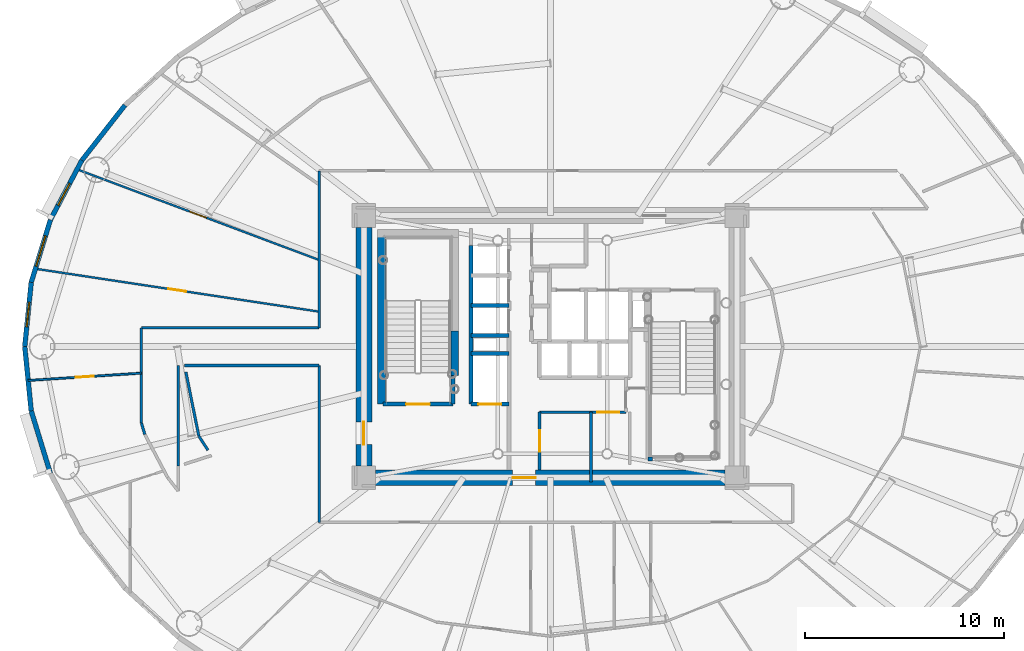
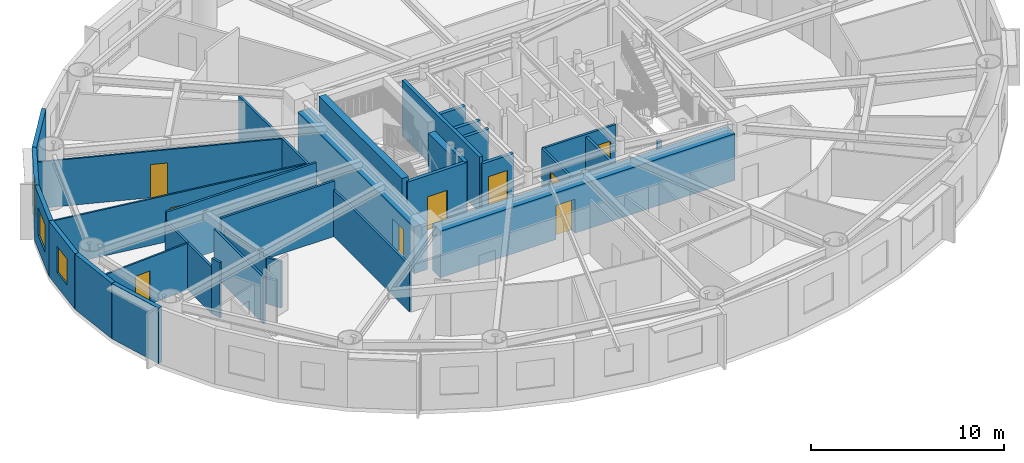
# One storey, part 11 of 21: 33 walls, 9 doors, 3 windows, 12 openings.
"""IFC4 building model written with IfcOpenShell, lengths in metres."""

import ifcopenshell
import ifcopenshell.guid

model = None  # the IFC model being written
_history = None  # IfcOwnerHistory: only IFC2X3 demands one
_inside = {}  # id of a spatial element -> (the spatial element, [elements in it])
_under = {}  # id of a project, library or spatial element -> (it, [spatial elements below it])
_declared = {}  # id of a project -> (the project, [libraries it declares])
_typed = {}  # id of a type object -> (the type object, [elements of that type])
_made_of = {}  # id of a material, layer set ... -> (it, [elements and type objects made of it])


def new_model(schema):
    """Start an empty IFC model of exactly this schema.

    Asked for "IFC4X3", IfcOpenShell would pick the latest addendum, in which some entities
    have other attributes; the version numbers below select the first issue.
    IFC2X3 requires an IfcOwnerHistory on every rooted entity: one is made here for all.
    """
    global model, _history
    if schema == "IFC4X3":
        model = ifcopenshell.file(schema_version=(4, 3, 0, 0))
    else:
        model = ifcopenshell.file(schema=schema)
    _inside.clear()
    _under.clear()
    _declared.clear()
    _typed.clear()
    _made_of.clear()
    _history = None
    if model.schema == "IFC2X3":
        org = make("IfcOrganization", Name="unknown")
        user = make(
            "IfcPersonAndOrganization",
            ThePerson=make("IfcPerson", FamilyName="unknown"),
            TheOrganization=org,
        )
        app = make(
            "IfcApplication",
            ApplicationDeveloper=org,
            Version="unknown",
            ApplicationFullName="unknown",
            ApplicationIdentifier="unknown",
        )
        _history = make(
            "IfcOwnerHistory",
            OwningUser=user,
            OwningApplication=app,
            ChangeAction="ADDED",
            CreationDate=0,
        )
    return model


def make(cls, **values):
    """One entity of the class cls with the attributes given. An attribute that is None is left unset."""
    return model.create_entity(
        cls, **{name: value for name, value in values.items() if value is not None}
    )


def rooted(cls, **values):
    """An entity with a GlobalId (a new one), such as an element, a storey or a relation."""
    return make(cls, GlobalId=ifcopenshell.guid.new(), OwnerHistory=_history, **values)


def si_unit(unit_type, name, prefix=None):
    """IfcSIUnit, for example si_unit("LENGTHUNIT", "METRE", prefix="MILLI")."""
    return make("IfcSIUnit", UnitType=unit_type, Prefix=prefix, Name=name)


def assignment(units):
    """IfcUnitAssignment: the units of a project."""
    return None if units is None else make("IfcUnitAssignment", Units=units)


def point(xyz):
    """IfcCartesianPoint."""
    return None if xyz is None else make("IfcCartesianPoint", Coordinates=xyz)


def direction(xyz):
    """IfcDirection."""
    return None if xyz is None else make("IfcDirection", DirectionRatios=xyz)


def frame(location, z_axis=None, x_axis=None):
    """IfcAxis2Placement3D, a coordinate frame: its origin and axes. An axis left out is left unset."""
    return make(
        "IfcAxis2Placement3D",
        Location=point(location),
        Axis=direction(z_axis),
        RefDirection=direction(x_axis),
    )


def frame_2d(location, x_axis=None):
    """IfcAxis2Placement2D, a coordinate frame in the plane: its origin and x axis."""
    return make(
        "IfcAxis2Placement2D", Location=point(location), RefDirection=direction(x_axis)
    )


def origin():
    """The frame at (0, 0, 0) with its axes left unset."""
    return frame((0.0, 0.0, 0.0))


def origin_2d():
    """The frame at (0, 0) in the plane with its x axis left unset."""
    return frame_2d((0.0, 0.0))


def place(relative_to, where):
    """IfcLocalPlacement: puts the frame where relative to a parent placement (None: the world)."""
    return make(
        "IfcLocalPlacement", PlacementRelTo=relative_to, RelativePlacement=where
    )


def context(
    kind, dimensions, precision=None, world=None, true_north=None, identifier=None
):
    """IfcGeometricRepresentationContext, for example the 3D "Model" context."""
    return make(
        "IfcGeometricRepresentationContext",
        ContextIdentifier=identifier,
        ContextType=kind,
        CoordinateSpaceDimension=dimensions,
        Precision=precision,
        WorldCoordinateSystem=world,
        TrueNorth=true_north,
    )


def subcontext(parent, identifier, kind, view, scale=None):
    """IfcGeometricRepresentationSubContext, for example "Body" below "Model"."""
    return make(
        "IfcGeometricRepresentationSubContext",
        ContextIdentifier=identifier,
        ContextType=kind,
        ParentContext=parent,
        TargetScale=scale,
        TargetView=view,
    )


def project(units=None, contexts=None):
    """IfcProject with its units and contexts."""
    return rooted(
        "IfcProject",
        Name="project",
        RepresentationContexts=contexts,
        UnitsInContext=assignment(units),
    )


def spatial(cls, under=None, at=None, **own):
    """A site, building, storey or space (cls), placed at a placement, below another one or the project."""
    s = rooted(cls, ObjectPlacement=at, **own)
    if under is not None:
        _under.setdefault(under.id(), (under, []))[1].append(s)
    return s


def profile(cls, at=None, kind="AREA", **sizes):
    """A parametric profile (cls). Its sizes go by their IFC names, for example OverallWidth=200.0."""
    return make(cls, ProfileType=kind, Position=at, **sizes)


def rectangle(**sizes):
    """IfcRectangleProfileDef."""
    return profile("IfcRectangleProfileDef", **sizes)


def extrude(swept, where, along, depth):
    """IfcExtrudedAreaSolid: the profile swept, set in the frame where, extruded along a direction by depth."""
    return make(
        "IfcExtrudedAreaSolid",
        SweptArea=swept,
        Position=where,
        ExtrudedDirection=direction(along),
        Depth=depth,
    )


def shape(context_of_items, identifier, shape_type, items):
    """IfcShapeRepresentation: the items that make up one representation, for example the "Body"."""
    return make(
        "IfcShapeRepresentation",
        ContextOfItems=context_of_items,
        RepresentationIdentifier=identifier,
        RepresentationType=shape_type,
        Items=items,
    )


def source(mapping_origin, context_of_items, identifier, shape_type, items):
    """IfcRepresentationMap: a shape defined once, which mapped items show again and again."""
    return make(
        "IfcRepresentationMap",
        MappingOrigin=mapping_origin,
        MappedRepresentation=shape(context_of_items, identifier, shape_type, items),
    )


def transform(
    local_origin,
    x_axis=None,
    y_axis=None,
    z_axis=None,
    scale=None,
    scale2=None,
    scale3=None,
    uniform=True,
):
    """IfcCartesianTransformationOperator3D, or its non-uniform kind. x_axis, y_axis, z_axis: its Axis1, 2, 3."""
    if uniform:
        return make(
            "IfcCartesianTransformationOperator3D",
            Axis1=direction(x_axis),
            Axis2=direction(y_axis),
            LocalOrigin=point(local_origin),
            Scale=scale,
            Axis3=direction(z_axis),
        )
    return make(
        "IfcCartesianTransformationOperator3DnonUniform",
        Axis1=direction(x_axis),
        Axis2=direction(y_axis),
        LocalOrigin=point(local_origin),
        Scale=scale,
        Axis3=direction(z_axis),
        Scale2=scale2,
        Scale3=scale3,
    )


def mapped(mapping_source, mapping_target):
    """IfcMappedItem: shows the shape of a source again, moved by a transform."""
    return make(
        "IfcMappedItem", MappingSource=mapping_source, MappingTarget=mapping_target
    )


def material(Name=None, Category=None):
    """IfcMaterial."""
    return make("IfcMaterial", Name=Name, Category=Category)


def layer(
    of_material, thickness, ventilated=None, Name=None, Category=None, Priority=None
):
    """IfcMaterialLayer: one layer of a wall or slab, of a material (None: an air gap)."""
    return make(
        "IfcMaterialLayer",
        Material=of_material,
        LayerThickness=thickness,
        IsVentilated=ventilated,
        Name=Name,
        Category=Category,
        Priority=Priority,
    )


def layer_set(layers, Name=None):
    """IfcMaterialLayerSet."""
    return make("IfcMaterialLayerSet", MaterialLayers=layers, LayerSetName=Name)


def made_of(thing, what):
    """Note that an element or type object is made of a material, layer set ...; save() writes the relation."""
    if what is not None:
        _made_of.setdefault(what.id(), (what, []))[1].append(thing)
    return thing


def type_object(cls, material=None, **own):
    """A type object (cls), such as IfcWallType, which elements share."""
    return made_of(rooted(cls, **own), material)


def element(
    cls,
    number,
    at=None,
    inside=None,
    cuts=None,
    type_object=None,
    material=None,
    context=None,
    identifier="Body",
    shape_type=None,
    held_by="IfcProductDefinitionShape",
    body=None,
    shapes=None,
    **own,
):
    """One element of the class cls, such as IfcWall. Its Tag is "e" and its number.

    at: its placement. inside: the storey or other place that contains it. cuts: it is an
    opening in that element (IfcRelVoidsElement). A single representation is given by context,
    identifier, shape_type and body (its items); several are given by shapes. held_by: the class
    of the entity that holds the representations. save() writes the other relations.
    """
    e = rooted(cls, Tag="e%d" % number, ObjectPlacement=at, **own)
    if body is not None:
        shapes = [shape(context, identifier, shape_type, body)]
    if shapes is not None:
        e.Representation = make(held_by, Representations=shapes)
    if inside is not None:
        _inside.setdefault(inside.id(), (inside, []))[1].append(e)
    if cuts is not None:
        rooted(
            "IfcRelVoidsElement", RelatingBuildingElement=cuts, RelatedOpeningElement=e
        )
    if type_object is not None:
        _typed.setdefault(type_object.id(), (type_object, []))[1].append(e)
    return made_of(e, material)


def fill(opening, filler):
    """IfcRelFillsElement: the door or window that sits in an opening."""
    return rooted(
        "IfcRelFillsElement",
        RelatingOpeningElement=opening,
        RelatedBuildingElement=filler,
    )


def aggregate(whole, parts):
    """IfcRelAggregates: a whole, such as a stair, and the parts it consists of."""
    return rooted("IfcRelAggregates", RelatingObject=whole, RelatedObjects=parts)


def save(model, path):
    """Write the relations noted so far, then the file.

    IfcRelAggregates (storeys below a building ...), IfcRelContainedInSpatialStructure (elements
    in a storey), IfcRelDefinesByType, IfcRelAssociatesMaterial and IfcRelDeclares: one each for
    every whole, place, type object, material and project.
    """
    for whole, parts in _under.values():
        aggregate(whole, parts)
    for where, things in _inside.values():
        rooted(
            "IfcRelContainedInSpatialStructure",
            RelatedElements=things,
            RelatingStructure=where,
        )
    for kind, things in _typed.values():
        rooted("IfcRelDefinesByType", RelatedObjects=things, RelatingType=kind)
    for what, things in _made_of.values():
        rooted("IfcRelAssociatesMaterial", RelatedObjects=things, RelatingMaterial=what)
    for by, libraries in _declared.values():
        rooted("IfcRelDeclares", RelatingContext=by, RelatedDefinitions=libraries)
    model.write(path)


model = new_model("IFC4")

# Units and contexts
model_context = context("Model", 3, precision=1e-05, world=origin(), true_north=direction((0.0, 1.0)))
body_context = subcontext(model_context, "Body", "Model", "MODEL_VIEW")
ifc_project = project(units=[si_unit("LENGTHUNIT", "METRE"), si_unit("AREAUNIT", "SQUARE_METRE"), si_unit("VOLUMEUNIT", "CUBIC_METRE"), si_unit("PLANEANGLEUNIT", "RADIAN"), si_unit("MASSUNIT", "GRAM", prefix="KILO")], contexts=[model_context])

# Site, building, storey
site_placement = place(None, origin())
site = spatial("IfcSite", under=ifc_project, at=site_placement, CompositionType="ELEMENT")
building_placement = place(site_placement, origin())
building = spatial("IfcBuilding", under=site, at=building_placement, Name="Linh Dai School and Residence Tower", CompositionType="ELEMENT")
storey_placement = place(building_placement, frame((0.0, 0.0, 171.14990234375)))
storey = spatial("IfcBuildingStorey", under=building, at=storey_placement, Name="L41", CompositionType="ELEMENT", Elevation=171.14990234375)

# Wall
ifc_material_1 = material(Name="Precast Concrete B45 (C35/45)", Category="concrete")
ifc_layer_1 = layer(ifc_material_1, 0.239990234375)
ifc_layer_set_1 = layer_set([ifc_layer_1], Name="Precast Concrete B45 (C35/45)")
wall_type_1 = type_object("IfcWallType", Name="EW-TC-240", PredefinedType="SOLIDWALL", material=ifc_layer_set_1)
wall_1_placement = place(storey_placement, frame((12.404052734375, 36.388427734375, 0.0), z_axis=(0.0, 0.0, 1.0), x_axis=(0.616287674549, 0.787521112224, 0.0)))
element("IfcWall", 1, at=wall_1_placement, inside=storey, type_object=wall_type_1, Name="L41 Terracotta Exterior Wall 17", PredefinedType="SOLIDWALL", context=body_context, shape_type="SweptSolid", body=[
    extrude(rectangle(XDim=3.517333984375, YDim=0.239990234375, at=frame_2d((1.7587890625, 0.0))), origin(), (0.0, 0.0, 1.0), 3.5),
])

# Wall, opening, window
wall_2_placement = place(storey_placement, frame((10.8173828125, 33.388916015625, 0.0), z_axis=(0.0, 0.0, 1.0), x_axis=(0.467586874938, 0.88394712194, 0.0)))
wall_2 = element("IfcWall", 2, at=wall_2_placement, inside=storey, type_object=wall_type_1, Name="L41 Terracotta Exterior Wall 18", PredefinedType="SOLIDWALL", context=body_context, shape_type="SweptSolid", body=[
    extrude(rectangle(XDim=3.393310546875, YDim=0.239990234375, at=frame_2d((1.69677734375, 0.0))), origin(), (0.0, 0.0, 1.0), 3.5),
])
opening_1_placement = place(wall_2_placement, frame((0.824951171875, 0.0, 0.89990234375)))
opening_1 = element("IfcOpeningElement", 3, at=opening_1_placement, cuts=wall_2, Name="Opening W3", PredefinedType="OPENING", context=body_context, shape_type="SweptSolid", body=[
    extrude(rectangle(XDim=1.25, YDim=1.64990234375, at=origin_2d()), frame((0.625, 0.1298828125, 0.824951171875), z_axis=(0.0, -1.0, 0.0), x_axis=(1.0, 0.0, 0.0)), (0.0, 0.0, 1.0), 0.260009765625),
])
ifc_material_2 = material(Name="Double Low-E Insulated Glazing", Category="glass")
window_type_1 = type_object("IfcWindowType", Name="WN-RES-1250x1650", PartitioningType="SINGLE_PANEL", PredefinedType="WINDOW", material=ifc_material_2)
shared_shape_1 = source(origin(), body_context, "Body", "SweptSolid", [
    extrude(rectangle(XDim=1.25, YDim=1.64990234375, at=origin_2d()), frame((0.625, 0.030029296875, 0.824951171875), z_axis=(0.0, -1.0, 0.0), x_axis=(1.0, 0.0, 0.0)), (0.0, 0.0, 1.0), 0.06005859375),
])
window_1_placement = place(opening_1_placement, origin())
window_1 = element("IfcWindow", 4, at=window_1_placement, inside=storey, type_object=window_type_1, Name="L41 Exterior Window 18.1", OverallHeight=1.64990234375, OverallWidth=1.25, PartitioningType="SINGLE_PANEL", PredefinedType="WINDOW", context=body_context, shape_type="MappedRepresentation", body=[
    mapped(shared_shape_1, transform((0.0, 0.0, 0.0), x_axis=(1.0, 0.0, 0.0), y_axis=(0.0, 1.0, 0.0), z_axis=(0.0, 0.0, 1.0), scale=1.0)),
])
fill(opening_1, window_1)

wall_3_placement = place(storey_placement, frame((9.85009765625, 30.233642578125, 0.0), z_axis=(0.0, 0.0, 1.0), x_axis=(0.293097995113, 0.956082405058, 0.0)))
wall_3 = element("IfcWall", 5, at=wall_3_placement, inside=storey, type_object=wall_type_1, Name="L41 Terracotta Exterior Wall 19", PredefinedType="SOLIDWALL", context=body_context, shape_type="SweptSolid", body=[
    extrude(rectangle(XDim=3.30029296875, YDim=0.239990234375, at=frame_2d((1.650146484375, 0.0))), origin(), (0.0, 0.0, 1.0), 3.5),
])
opening_2_placement = place(wall_3_placement, frame((0.85009765625, 0.0, 0.89990234375)))
opening_2 = element("IfcOpeningElement", 6, at=opening_2_placement, cuts=wall_3, Name="Opening W2", PredefinedType="OPENING", context=body_context, shape_type="SweptSolid", body=[
    extrude(rectangle(XDim=1.60009765625, YDim=1.75, at=origin_2d()), frame((0.800048828125, 0.1298828125, 0.875), z_axis=(0.0, -1.0, 0.0), x_axis=(1.0, 0.0, 0.0)), (0.0, 0.0, 1.0), 0.260009765625),
])
window_type_2 = type_object("IfcWindowType", Name="WN-RES-1600x1750", PartitioningType="DOUBLE_PANEL_VERTICAL", PredefinedType="WINDOW", material=ifc_material_2)
shared_shape_2 = source(origin(), body_context, "Body", "SweptSolid", [
    extrude(rectangle(XDim=1.60009765625, YDim=1.75, at=origin_2d()), frame((0.800048828125, 0.030029296875, 0.875), z_axis=(0.0, -1.0, 0.0), x_axis=(1.0, 0.0, 0.0)), (0.0, 0.0, 1.0), 0.06005859375),
])
window_2_placement = place(opening_2_placement, origin())
window_2 = element("IfcWindow", 7, at=window_2_placement, inside=storey, type_object=window_type_2, Name="L41 Exterior Window 19.1", OverallHeight=1.75, OverallWidth=1.60009765625, PartitioningType="DOUBLE_PANEL_VERTICAL", PredefinedType="WINDOW", context=body_context, shape_type="MappedRepresentation", body=[
    mapped(shared_shape_2, transform((0.0, 0.0, 0.0), x_axis=(1.0, 0.0, 0.0), y_axis=(0.0, 1.0, 0.0), z_axis=(0.0, 0.0, 1.0), scale=1.0)),
])
fill(opening_2, window_2)

wall_4_placement = place(storey_placement, frame((9.52490234375, 27.0, 0.0), z_axis=(0.0, 0.0, 1.0), x_axis=(0.100061534614, 0.994981250723, 0.0)))
wall_4 = element("IfcWall", 8, at=wall_4_placement, inside=storey, type_object=wall_type_1, Name="L41 Terracotta Exterior Wall 20", PredefinedType="SOLIDWALL", context=body_context, shape_type="SweptSolid", body=[
    extrude(rectangle(XDim=3.25, YDim=0.239990234375, at=frame_2d((1.625, 0.0))), origin(), (0.0, 0.0, 1.0), 3.5),
])
opening_3_placement = place(wall_4_placement, frame((1.0, 0.0, 0.89990234375)))
opening_3 = element("IfcOpeningElement", 9, at=opening_3_placement, cuts=wall_4, Name="Opening W3", PredefinedType="OPENING", context=body_context, shape_type="SweptSolid", body=[
    extrude(rectangle(XDim=1.25, YDim=1.64990234375, at=origin_2d()), frame((0.625, 0.1298828125, 0.824951171875), z_axis=(0.0, -1.0, 0.0), x_axis=(1.0, 0.0, 0.0)), (0.0, 0.0, 1.0), 0.260009765625),
])
window_3_placement = place(opening_3_placement, origin())
window_3 = element("IfcWindow", 10, at=window_3_placement, inside=storey, type_object=window_type_1, Name="L41 Dwelling Window U4101-BD2", OverallHeight=1.64990234375, OverallWidth=1.25, PartitioningType="SINGLE_PANEL", PredefinedType="WINDOW", context=body_context, shape_type="MappedRepresentation", body=[
    mapped(shared_shape_1, transform((0.0, 0.0, 0.0), x_axis=(1.0, 0.0, 0.0), y_axis=(0.0, 1.0, 0.0), z_axis=(0.0, 0.0, 1.0), scale=1.0)),
])
fill(opening_3, window_3)

# Walls
wall_5_placement = place(storey_placement, frame((9.85009765625, 23.766357421875, 0.0), z_axis=(0.0, 0.0, 1.0), x_axis=(-0.100061534614, 0.994981250723, 0.0)))
element("IfcWall", 11, at=wall_5_placement, inside=storey, type_object=wall_type_1, Name="L41 Terracotta Exterior Wall 21", PredefinedType="SOLIDWALL", context=body_context, shape_type="SweptSolid", body=[
    extrude(rectangle(XDim=3.25, YDim=0.239990234375, at=frame_2d((1.625, 0.0))), origin(), (0.0, 0.0, 1.0), 3.5),
])
wall_6_placement = place(storey_placement, frame((10.8173828125, 20.611083984375, 0.0), z_axis=(0.0, 0.0, 1.0), x_axis=(-0.293097995113, 0.956082405058, 0.0)))
element("IfcWall", 12, at=wall_6_placement, inside=storey, type_object=wall_type_1, Name="L41 Terracotta Exterior Wall 22", PredefinedType="SOLIDWALL", context=body_context, shape_type="SweptSolid", body=[
    extrude(rectangle(XDim=3.30029296875, YDim=0.239990234375, at=frame_2d((1.650146484375, 0.0))), origin(), (0.0, 0.0, 1.0), 3.5),
])
ifc_material_3 = material(Name="Autoclaved Aerated Concrete Blockwork", Category="masonry")
ifc_layer_2 = layer(ifc_material_3, 0.135009765625)
ifc_layer_set_2 = layer_set([ifc_layer_2], Name="Autoclaved Aerated Concrete Blockwork")
wall_type_2 = type_object("IfcWallType", Name="IW-CORR-135-EI90", PredefinedType="PARTITIONING", material=ifc_layer_set_2)
wall_7_placement = place(storey_placement, frame((15.39990234375, 23.14599609375, 0.0), z_axis=(0.0, 0.0, 1.0), x_axis=(0.0, 1.0, 0.0)))
element("IfcWall", 13, at=wall_7_placement, inside=storey, type_object=wall_type_2, Name="L41 Interior Partition Wall 006", PredefinedType="PARTITIONING", context=body_context, shape_type="SweptSolid", body=[
    extrude(rectangle(XDim=4.803955078125, YDim=0.135009765625, at=frame_2d((2.40185546875, 0.0))), origin(), (0.0, 0.0, 1.0), 2.93505859375),
])
wall_8_placement = place(storey_placement, frame((15.39990234375, 23.14599609375, 0.0), z_axis=(0.0, 0.0, 1.0), x_axis=(0.293335154151, -0.956009669061, 0.0)))
element("IfcWall", 14, at=wall_8_placement, inside=storey, type_object=wall_type_2, Name="L41 Interior Partition Wall 007", PredefinedType="PARTITIONING", context=body_context, shape_type="SweptSolid", body=[
    extrude(rectangle(XDim=0.59423828125, YDim=0.135009765625, at=frame_2d((0.297119140625, 0.0))), origin(), (0.0, 0.0, 1.0), 3.5),
])
wall_9_placement = place(storey_placement, frame((15.39990234375, 27.949951171875, 0.0), z_axis=(0.0, 0.0, 1.0), x_axis=(1.0, 0.0, 0.0)))
element("IfcWall", 15, at=wall_9_placement, inside=storey, type_object=wall_type_2, Name="L41 Interior Partition Wall 008", PredefinedType="PARTITIONING", context=body_context, shape_type="SweptSolid", body=[
    extrude(rectangle(XDim=8.9501953125, YDim=0.135009765625, at=frame_2d((4.47509765625, 0.0))), origin(), (0.0, 0.0, 1.0), 3.5),
])
wall_10_placement = place(storey_placement, frame((17.572265625, 26.050048828125, 0.0), z_axis=(0.0, 0.0, 1.0), x_axis=(1.0, 0.0, 0.0)))
element("IfcWall", 16, at=wall_10_placement, inside=storey, type_object=wall_type_2, Name="L41 Interior Partition Wall 013", PredefinedType="PARTITIONING", context=body_context, shape_type="SweptSolid", body=[
    extrude(rectangle(XDim=6.77783203125, YDim=0.135009765625, at=frame_2d((3.388916015625, 0.0))), origin(), (0.0, 0.0, 1.0), 3.5),
])
for number, where, z_axis, x_axis, name in (
    (17, (24.35009765625, 18.14990234375, 0.0), (0.0, 0.0, 1.0), (0.0, 1.0, 0.0), "L41 Interior Partition Wall 017"),
    (18, (24.35009765625, 27.949951171875, 0.0), (0.0, 0.0, 1.0), (0.0, 1.0, 0.0), "L41 Interior Partition Wall 019"),
):
    element("IfcWall", number, at=place(storey_placement, frame(where, z_axis=z_axis, x_axis=x_axis)), inside=storey, type_object=wall_type_2, Name=name, PredefinedType="PARTITIONING", context=body_context, shape_type="SweptSolid", body=[
        extrude(rectangle(XDim=7.900146484375, YDim=0.135009765625, at=frame_2d((3.9501953125, 0.0))), origin(), (0.0, 0.0, 1.0), 2.93505859375),
    ])

# Wall, opening, door
wall_11_placement = place(storey_placement, frame((35.449951171875, 20.800048828125, 0.0), z_axis=(0.0, 0.0, 1.0), x_axis=(0.0, 1.0, 0.0)))
wall_11 = element("IfcWall", 19, at=wall_11_placement, inside=storey, type_object=wall_type_2, Name="L41 Interior Partition Wall 042", PredefinedType="PARTITIONING", context=body_context, shape_type="SweptSolid", body=[
    extrude(rectangle(XDim=2.89990234375, YDim=0.135009765625, at=frame_2d((1.449951171875, 0.0))), origin(), (0.0, 0.0, 1.0), 3.085205078125),
])
opening_4_placement = place(wall_11_placement, frame((0.89990234375, 0.0, 0.0)))
opening_4 = element("IfcOpeningElement", 20, at=opening_4_placement, cuts=wall_11, Name="Opening D07", PredefinedType="OPENING", context=body_context, shape_type="SweptSolid", body=[
    extrude(rectangle(XDim=1.10009765625, YDim=2.14990234375, at=origin_2d()), frame((0.550048828125, 0.07763671875, 1.074951171875), z_axis=(0.0, -1.0, 0.0), x_axis=(1.0, 0.0, 0.0)), (0.0, 0.0, 1.0), 0.155029296875),
])
ifc_material_4 = material(Name="Fire-Rated Louvred Steel Plant Door", Category="steel")
door_type_1 = type_object("IfcDoorType", Name="DR-PLT-1100x2150-FD60S", OperationType="NOTDEFINED", PredefinedType="DOOR", material=ifc_material_4)
shared_shape_3 = source(origin(), body_context, "Body", "SweptSolid", [
    extrude(rectangle(XDim=1.10009765625, YDim=2.14990234375, at=origin_2d()), frame((0.550048828125, 0.02490234375, 1.074951171875), z_axis=(0.0, -1.0, 0.0), x_axis=(1.0, 0.0, 0.0)), (0.0, 0.0, 1.0), 0.050048828125),
])
door_1_placement = place(opening_4_placement, origin())
door_1 = element("IfcDoor", 21, at=door_1_placement, inside=storey, type_object=door_type_1, Name="L41 Floor Electrical Switchroom Door", OperationType="SINGLE_SWING_LEFT", OverallHeight=2.14990234375, OverallWidth=1.10009765625, PredefinedType="DOOR", context=body_context, shape_type="MappedRepresentation", body=[
    mapped(shared_shape_3, transform((0.0, 0.0, 0.0), x_axis=(1.0, 0.0, 0.0), y_axis=(0.0, 1.0, 0.0), z_axis=(0.0, 0.0, 1.0), scale=1.0)),
])
fill(opening_4, door_1)

wall_12_placement = place(storey_placement, frame((35.449951171875, 23.699951171875, 0.0), z_axis=(0.0, 0.0, 1.0), x_axis=(1.0, 0.0, 0.0)))
wall_12 = element("IfcWall", 22, at=wall_12_placement, inside=storey, type_object=wall_type_2, Name="L41 Interior Partition Wall 043", PredefinedType="PARTITIONING", context=body_context, shape_type="SweptSolid", body=[
    extrude(rectangle(XDim=4.35009765625, YDim=0.135009765625, at=frame_2d((2.175048828125, 0.0))), origin(), (0.0, 0.0, 1.0), 3.085205078125),
])
opening_5_placement = place(wall_12_placement, frame((2.905029296875, 0.0, 0.0)))
opening_5 = element("IfcOpeningElement", 23, at=opening_5_placement, cuts=wall_12, Name="Opening D07", PredefinedType="OPENING", context=body_context, shape_type="SweptSolid", body=[
    extrude(rectangle(XDim=1.10009765625, YDim=2.14990234375, at=origin_2d()), frame((0.550048828125, 0.07763671875, 1.074951171875), z_axis=(0.0, -1.0, 0.0), x_axis=(1.0, 0.0, 0.0)), (0.0, 0.0, 1.0), 0.155029296875),
])
door_2_placement = place(opening_5_placement, origin())
door_2 = element("IfcDoor", 24, at=door_2_placement, inside=storey, type_object=door_type_1, Name="L41 Telecom Node Room Door", OperationType="SINGLE_SWING_RIGHT", OverallHeight=2.14990234375, OverallWidth=1.10009765625, PredefinedType="DOOR", context=body_context, shape_type="MappedRepresentation", body=[
    mapped(shared_shape_3, transform((0.0, 0.0, 0.0), x_axis=(1.0, 0.0, 0.0), y_axis=(0.0, 1.0, 0.0), z_axis=(0.0, 0.0, 1.0), scale=1.0)),
])
fill(opening_5, door_2)

# Walls
wall_13_placement = place(storey_placement, frame((17.25, 26.050048828125, 0.0), z_axis=(0.0, 0.0, 1.0), x_axis=(0.0, -1.0, 0.0)))
element("IfcWall", 25, at=wall_13_placement, inside=storey, type_object=wall_type_2, Name="L41 Interior Partition Wall 088", PredefinedType="PARTITIONING", context=body_context, shape_type="SweptSolid", body=[
    extrude(rectangle(XDim=5.06005859375, YDim=0.135009765625, at=frame_2d((2.530029296875, 0.0))), origin(), (0.0, 0.0, 1.0), 2.93505859375),
])
wall_14_placement = place(storey_placement, frame((18.75244140625, 21.785400390625, 0.0), z_axis=(0.0, 0.0, 1.0), x_axis=(-0.545404374412, 0.838173053953, 0.0)))
element("IfcWall", 26, at=wall_14_placement, inside=storey, type_object=wall_type_2, Name="L41 Interior Partition Wall 101", PredefinedType="PARTITIONING", context=body_context, shape_type="SweptSolid", body=[
    extrude(rectangle(XDim=0.845458984375, YDim=0.135009765625, at=frame_2d((0.4228515625, 0.0))), origin(), (0.0, 0.0, 1.0), 2.93505859375),
])
wall_15_placement = place(storey_placement, frame((18.291259765625, 22.494140625, 0.0), z_axis=(0.0, 0.0, 1.0), x_axis=(-0.198211153628, 0.980159343463, 0.0)))
element("IfcWall", 27, at=wall_15_placement, inside=storey, type_object=wall_type_2, Name="L41 Interior Partition Wall 102", PredefinedType="PARTITIONING", context=body_context, shape_type="SweptSolid", body=[
    extrude(rectangle(XDim=3.293701171875, YDim=0.135009765625, at=frame_2d((1.64697265625, 0.0))), origin(), (0.0, 0.0, 1.0), 2.93505859375),
])
ifc_layer_3 = layer(ifc_material_3, 0.14990234375)
ifc_layer_set_3 = layer_set([ifc_layer_3], Name="Autoclaved Aerated Concrete Blockwork")
wall_type_3 = type_object("IfcWallType", Name="IW-SCH-150-EI60", PredefinedType="PARTITIONING", material=ifc_layer_set_3)
wall_16_placement = place(storey_placement, frame((38.050048828125, 20.179931640625, 0.0), z_axis=(0.0, 0.0, 1.0), x_axis=(0.0, 1.0, 0.0)))
element("IfcWall", 28, at=wall_16_placement, inside=storey, type_object=wall_type_3, Name="L41 Interior Partition Wall 054", PredefinedType="PARTITIONING", context=body_context, shape_type="SweptSolid", body=[
    extrude(rectangle(XDim=3.52001953125, YDim=0.14990234375, at=frame_2d((1.760009765625, 0.0))), origin(), (0.0, 0.0, 1.0), 2.93505859375),
])

# Wall, opening, door
ifc_material_5 = material(Name="Concrete B45 (C35/45)", Category="concrete")
ifc_layer_4 = layer(ifc_material_5, 0.199951171875)
ifc_layer_set_4 = layer_set([ifc_layer_4], Name="Concrete B45 (C35/45)")
wall_type_4 = type_object("IfcWallType", Name="IW-SHAFT-200-EI120", PredefinedType="PARTITIONING", material=ifc_layer_set_4)
wall_17_placement = place(storey_placement, frame((27.56005859375, 24.10009765625, 0.0), z_axis=(0.0, 0.0, 1.0), x_axis=(1.0, 0.0, 0.0)))
wall_17 = element("IfcWall", 29, at=wall_17_placement, inside=storey, type_object=wall_type_4, Name="L41 Interior Partition Wall 024", PredefinedType="PARTITIONING", context=body_context, shape_type="SweptSolid", body=[
    extrude(rectangle(XDim=3.5400390625, YDim=0.199951171875, at=frame_2d((1.77001953125, 0.0))), origin(), (0.0, 0.0, 1.0), 3.5),
])
opening_6_placement = place(wall_17_placement, frame((1.169921875, 0.0, 0.0)))
opening_6 = element("IfcOpeningElement", 30, at=opening_6_placement, cuts=wall_17, Name="Opening D01", PredefinedType="OPENING", context=body_context, shape_type="SweptSolid", body=[
    extrude(rectangle(XDim=1.199951171875, YDim=2.14990234375, at=origin_2d()), frame((0.60009765625, 0.10986328125, 1.074951171875), z_axis=(0.0, -1.0, 0.0), x_axis=(1.0, 0.0, 0.0)), (0.0, 0.0, 1.0), 0.219970703125),
])
ifc_material_6 = material(Name="Fire-Rated Steel Door Leaf", Category="steel")
door_type_2 = type_object("IfcDoorType", Name="DR-STAIR-1200x2150-FD90S", OperationType="NOTDEFINED", PredefinedType="DOOR", material=ifc_material_6)
shared_shape_4 = source(origin(), body_context, "Body", "SweptSolid", [
    extrude(rectangle(XDim=1.199951171875, YDim=2.14990234375, at=origin_2d()), frame((0.60009765625, 0.02490234375, 1.074951171875), z_axis=(0.0, -1.0, 0.0), x_axis=(1.0, 0.0, 0.0)), (0.0, 0.0, 1.0), 0.050048828125),
])
door_3_placement = place(opening_6_placement, origin())
door_3 = element("IfcDoor", 31, at=door_3_placement, inside=storey, type_object=door_type_2, Name="L41 Core Smokeproof Exit Stair ST1 Door", OperationType="SINGLE_SWING_RIGHT", OverallHeight=2.14990234375, OverallWidth=1.199951171875, PredefinedType="DOOR", context=body_context, shape_type="MappedRepresentation", body=[
    mapped(shared_shape_4, transform((0.0, 0.0, 0.0), x_axis=(1.0, 0.0, 0.0), y_axis=(0.0, 1.0, 0.0), z_axis=(0.0, 0.0, 1.0), scale=1.0)),
])
fill(opening_6, door_3)

# Walls
wall_18_placement = place(storey_placement, frame((31.10009765625, 24.10009765625, 0.0), z_axis=(0.0, 0.0, 1.0), x_axis=(0.0, 1.0, 0.0)))
element("IfcWall", 32, at=wall_18_placement, inside=storey, type_object=wall_type_4, Name="L41 Interior Partition Wall 027", PredefinedType="PARTITIONING", context=body_context, shape_type="SweptSolid", body=[
    extrude(rectangle(XDim=1.43994140625, YDim=0.199951171875, at=frame_2d((0.719970703125, 0.0))), origin(), (0.0, 0.0, 1.0), 3.5),
])
wall_19_placement = place(storey_placement, frame((32.0, 24.10009765625, 0.0), z_axis=(0.0, 0.0, 1.0), x_axis=(0.0, 1.0, 0.0)))
element("IfcWall", 33, at=wall_19_placement, inside=storey, type_object=wall_type_4, Name="L41 Interior Partition Wall 028", PredefinedType="PARTITIONING", context=body_context, shape_type="SweptSolid", body=[
    extrude(rectangle(XDim=8.0, YDim=0.199951171875, at=frame_2d((4.0, 0.0))), origin(), (0.0, 0.0, 1.0), 3.5),
])

# Wall, opening, door
wall_20_placement = place(storey_placement, frame((32.0, 24.10009765625, 0.0), z_axis=(0.0, 0.0, 1.0), x_axis=(1.0, 0.0, 0.0)))
wall_20 = element("IfcWall", 34, at=wall_20_placement, inside=storey, type_object=wall_type_4, Name="L41 Interior Partition Wall 029", PredefinedType="PARTITIONING", context=body_context, shape_type="SweptSolid", body=[
    extrude(rectangle(XDim=1.89990234375, YDim=0.199951171875, at=frame_2d((0.949951171875, 0.0))), origin(), (0.0, 0.0, 1.0), 3.085205078125),
])
opening_7_placement = place(wall_20_placement, frame((0.375, 0.0, 0.0)))
opening_7 = element("IfcOpeningElement", 35, at=opening_7_placement, cuts=wall_20, Name="Opening LD-FF2", PredefinedType="OPENING", context=body_context, shape_type="SweptSolid", body=[
    extrude(rectangle(XDim=1.14990234375, YDim=2.14990234375, at=origin_2d()), frame((0.574951171875, 0.10986328125, 1.074951171875), z_axis=(0.0, -1.0, 0.0), x_axis=(1.0, 0.0, 0.0)), (0.0, 0.0, 1.0), 0.219970703125),
])
ifc_material_7 = material(Name="Fire-Rated Stainless Steel Firefighting Lift Door", Category="steel")
door_type_3 = type_object("IfcDoorType", Name="DR-LD-FF-1150x2150-FD120", OperationType="DOUBLE_DOOR_SLIDING", PredefinedType="USERDEFINED", material=ifc_material_7)
shared_shape_5 = source(origin(), body_context, "Body", "SweptSolid", [
    extrude(rectangle(XDim=1.14990234375, YDim=2.14990234375, at=origin_2d()), frame((0.574951171875, 0.02490234375, 1.074951171875), z_axis=(0.0, -1.0, 0.0), x_axis=(1.0, 0.0, 0.0)), (0.0, 0.0, 1.0), 0.050048828125),
])
door_4_placement = place(opening_7_placement, origin())
door_4 = element("IfcDoor", 36, at=door_4_placement, inside=storey, type_object=door_type_3, Name="L41 Lift FF2 Sliding Landing Door", ObjectType="LANDING DOOR", OperationType="DOUBLE_DOOR_SLIDING", OverallHeight=2.14990234375, OverallWidth=1.14990234375, PredefinedType="USERDEFINED", context=body_context, shape_type="MappedRepresentation", body=[
    mapped(shared_shape_5, transform((0.0, 0.0, 0.0), x_axis=(1.0, 0.0, 0.0), y_axis=(0.0, 1.0, 0.0), z_axis=(0.0, 0.0, 1.0), scale=1.0)),
])
fill(opening_7, door_4)

# Walls
for number, where, z_axis, x_axis, name in (
    (37, (32.0, 26.64990234375, 0.0), (0.0, 0.0, 1.0), (1.0, 0.0, 0.0), "L41 Interior Partition Wall 030"),
    (38, (32.0, 27.550048828125, 0.0), (0.0, 0.0, 1.0), (1.0, 0.0, 0.0), "L41 Interior Partition Wall 031"),
    (39, (32.0, 29.06005859375, 0.0), (0.0, 0.0, 1.0), (1.0, 0.0, 0.0), "L41 Interior Partition Wall 032"),
):
    element("IfcWall", number, at=place(storey_placement, frame(where, z_axis=z_axis, x_axis=x_axis)), inside=storey, type_object=wall_type_4, Name=name, PredefinedType="PARTITIONING", context=body_context, shape_type="SweptSolid", body=[
        extrude(rectangle(XDim=1.89990234375, YDim=0.199951171875, at=frame_2d((0.949951171875, 0.0))), origin(), (0.0, 0.0, 1.0), 3.085205078125),
    ])
wall_21_placement = place(storey_placement, frame((40.89990234375, 21.330078125, 0.0), z_axis=(0.0, 0.0, 1.0), x_axis=(1.0, 0.0, 0.0)))
element("IfcWall", 40, at=wall_21_placement, inside=storey, type_object=wall_type_4, Name="L41 Interior Partition Wall 063", PredefinedType="PARTITIONING", context=body_context, shape_type="SweptSolid", body=[
    extrude(rectangle(XDim=0.25, YDim=0.199951171875, at=frame_2d((0.125, 0.0))), origin(), (0.0, 0.0, 1.0), 3.03515625),
])

# Wall, opening, door
ifc_material_8 = material(Name="Gypsum Plasterboard Acoustic Stud Partition", Category="masonry")
ifc_layer_5 = layer(ifc_material_8, 0.10009765625)
ifc_layer_set_5 = layer_set([ifc_layer_5], Name="Gypsum Plasterboard Acoustic Stud Partition")
wall_type_5 = type_object("IfcWallType", Name="IW-UNIT-100", PredefinedType="PARTITIONING", material=ifc_layer_set_5)
wall_22_placement = place(storey_placement, frame((9.691162109375, 25.2958984375, 0.0), z_axis=(0.0, 0.0, 1.0), x_axis=(0.99791042292, 0.064612598054, 0.0)))
wall_22 = element("IfcWall", 41, at=wall_22_placement, inside=storey, type_object=wall_type_5, Name="L41 Interior Partition Wall 001", PredefinedType="PARTITIONING", context=body_context, shape_type="SweptSolid", body=[
    extrude(rectangle(XDim=5.720703125, YDim=0.10009765625, at=frame_2d((2.8603515625, 0.0))), origin(), (0.0, 0.0, 1.0), 2.93505859375),
])
opening_8_placement = place(wall_22_placement, frame((2.410400390625, 0.0, 0.0)))
opening_8 = element("IfcOpeningElement", 42, at=opening_8_placement, cuts=wall_22, Name="Opening D05", PredefinedType="OPENING", context=body_context, shape_type="SweptSolid", body=[
    extrude(rectangle(XDim=0.89990234375, YDim=2.10009765625, at=origin_2d()), frame((0.449951171875, 0.06005859375, 1.050048828125), z_axis=(0.0, -1.0, 0.0), x_axis=(1.0, 0.0, 0.0)), (0.0, 0.0, 1.0), 0.1201171875),
])
ifc_material_9 = material(Name="Engineered Timber Internal Door", Category="wood")
door_type_4 = type_object("IfcDoorType", Name="DR-INT-900x2100", OperationType="NOTDEFINED", PredefinedType="DOOR", material=ifc_material_9)
shared_shape_6 = source(origin(), body_context, "Body", "SweptSolid", [
    extrude(rectangle(XDim=0.89990234375, YDim=2.10009765625, at=origin_2d()), frame((0.449951171875, 0.02490234375, 1.050048828125), z_axis=(0.0, -1.0, 0.0), x_axis=(1.0, 0.0, 0.0)), (0.0, 0.0, 1.0), 0.050048828125),
])
door_5_placement = place(opening_8_placement, origin())
door_5 = element("IfcDoor", 43, at=door_5_placement, inside=storey, type_object=door_type_4, Name="L41 Apartment U4101 Principal Bedroom 2 Door", OperationType="SINGLE_SWING_RIGHT", OverallHeight=2.10009765625, OverallWidth=0.89990234375, PredefinedType="DOOR", context=body_context, shape_type="MappedRepresentation", body=[
    mapped(shared_shape_6, transform((0.0, 0.0, 0.0), x_axis=(1.0, 0.0, 0.0), y_axis=(0.0, 1.0, 0.0), z_axis=(0.0, 0.0, 1.0), scale=1.0)),
])
fill(opening_8, door_5)

wall_23_placement = place(storey_placement, frame((10.056396484375, 30.923583984375, 0.0), z_axis=(0.0, 0.0, 1.0), x_axis=(0.988757382987, -0.149528718277, 0.0)))
wall_23 = element("IfcWall", 44, at=wall_23_placement, inside=storey, type_object=wall_type_5, Name="L41 Interior Partition Wall 002", PredefinedType="PARTITIONING", context=body_context, shape_type="SweptSolid", body=[
    extrude(rectangle(XDim=14.456298828125, YDim=0.10009765625, at=frame_2d((7.22802734375, 0.0))), origin(), (0.0, 0.0, 1.0), 2.93505859375),
])
opening_9_placement = place(wall_23_placement, frame((6.778076171875, 0.0, 0.0)))
opening_9 = element("IfcOpeningElement", 45, at=opening_9_placement, cuts=wall_23, Name="Opening D05", PredefinedType="OPENING", context=body_context, shape_type="SweptSolid", body=[
    extrude(rectangle(XDim=0.89990234375, YDim=2.10009765625, at=origin_2d()), frame((0.449951171875, 0.06005859375, 1.050048828125), z_axis=(0.0, -1.0, 0.0), x_axis=(1.0, 0.0, 0.0)), (0.0, 0.0, 1.0), 0.1201171875),
])
door_6_placement = place(opening_9_placement, origin())
door_6 = element("IfcDoor", 46, at=door_6_placement, inside=storey, type_object=door_type_4, Name="L41 Apartment U4101 Private Salon Door", OperationType="SINGLE_SWING_LEFT", OverallHeight=2.10009765625, OverallWidth=0.89990234375, PredefinedType="DOOR", context=body_context, shape_type="MappedRepresentation", body=[
    mapped(shared_shape_6, transform((0.0, 0.0, 0.0), x_axis=(1.0, 0.0, 0.0), y_axis=(0.0, 1.0, 0.0), z_axis=(0.0, 0.0, 1.0), scale=1.0)),
])
fill(opening_9, door_6)

wall_24_placement = place(storey_placement, frame((12.15576171875, 35.9296875, 0.0), z_axis=(0.0, 0.0, 1.0), x_axis=(0.936480111121, -0.350720688689, 0.0)))
wall_24 = element("IfcWall", 47, at=wall_24_placement, inside=storey, type_object=wall_type_5, Name="L41 Interior Partition Wall 004", PredefinedType="PARTITIONING", context=body_context, shape_type="SweptSolid", body=[
    extrude(rectangle(XDim=13.021484375, YDim=0.10009765625, at=frame_2d((6.5107421875, 0.0))), origin(), (0.0, 0.0, 1.0), 2.93505859375),
])
opening_10_placement = place(wall_24_placement, frame((6.060791015625, 0.0, 0.0)))
opening_10 = element("IfcOpeningElement", 48, at=opening_10_placement, cuts=wall_24, Name="Opening D05", PredefinedType="OPENING", context=body_context, shape_type="SweptSolid", body=[
    extrude(rectangle(XDim=0.89990234375, YDim=2.10009765625, at=origin_2d()), frame((0.449951171875, 0.06005859375, 1.050048828125), z_axis=(0.0, -1.0, 0.0), x_axis=(1.0, 0.0, 0.0)), (0.0, 0.0, 1.0), 0.1201171875),
])
door_7_placement = place(opening_10_placement, origin())
door_7 = element("IfcDoor", 49, at=door_7_placement, inside=storey, type_object=door_type_4, Name="L41 Apartment U4101 Principal Bedroom 1 Door", OperationType="SINGLE_SWING_RIGHT", OverallHeight=2.10009765625, OverallWidth=0.89990234375, PredefinedType="DOOR", context=body_context, shape_type="MappedRepresentation", body=[
    mapped(shared_shape_6, transform((0.0, 0.0, 0.0), x_axis=(1.0, 0.0, 0.0), y_axis=(0.0, 1.0, 0.0), z_axis=(0.0, 0.0, 1.0), scale=1.0)),
])
fill(opening_10, door_7)

# Walls
ifc_layer_6 = layer(ifc_material_5, 0.39990234375)
ifc_layer_set_6 = layer_set([ifc_layer_6], Name="Concrete B45 (C35/45)")
wall_type_6 = type_object("IfcWallType", Name="WL-CORE400", PredefinedType="SHEAR", material=ifc_layer_set_6)
wall_25_placement = place(storey_placement, frame((27.47998046875, 24.10009765625, 0.0), z_axis=(0.0, 0.0, 1.0), x_axis=(0.0, 1.0, 0.0)))
element("IfcWall", 50, at=wall_25_placement, inside=storey, type_object=wall_type_6, Name="L41 Core Stair ST1 Bearing Wall W", PredefinedType="SHEAR", context=body_context, shape_type="SweptSolid", body=[
    extrude(rectangle(XDim=8.599853515625, YDim=0.39990234375, at=frame_2d((4.2998046875, 0.0))), origin(), (0.0, 0.0, 1.0), 3.75),
])
wall_26_placement = place(storey_placement, frame((31.179931640625, 25.550048828125, 0.0), z_axis=(0.0, 0.0, 1.0), x_axis=(0.0, 1.0, 0.0)))
element("IfcWall", 51, at=wall_26_placement, inside=storey, type_object=wall_type_6, Name="L41 Internal Core Shear Wall IW", PredefinedType="SHEAR", context=body_context, shape_type="SweptSolid", body=[
    extrude(rectangle(XDim=2.25, YDim=0.39990234375, at=frame_2d((1.125, 0.0))), origin(), (0.0, 0.0, 1.0), 3.10009765625),
])

# Wall, opening, door
ifc_material_10 = material(Name="Concrete B60 (C50/60)", Category="concrete")
ifc_layer_7 = layer(ifc_material_10, 0.800048828125)
ifc_layer_set_7 = layer_set([ifc_layer_7], Name="Concrete B60 (C50/60)")
wall_type_7 = type_object("IfcWallType", Name="WL-CORE800", PredefinedType="SHEAR", material=ifc_layer_set_7)
wall_27_placement = place(storey_placement, frame((44.800048828125, 20.39990234375, 0.0), z_axis=(0.0, 0.0, 1.0), x_axis=(-1.0, 0.0, 0.0)))
wall_27 = element("IfcWall", 52, at=wall_27_placement, inside=storey, type_object=wall_type_7, Name="L41 Central Core Shear Wall S", PredefinedType="SHEAR", context=body_context, shape_type="SweptSolid", body=[
    extrude(rectangle(XDim=17.60009765625, YDim=0.800048828125, at=frame_2d((8.800048828125, 0.0))), origin(), (0.0, 0.0, 1.0), 2.9501953125),
])
opening_11_placement = place(wall_27_placement, frame((9.550048828125, 0.0, 0.0)))
opening_11 = element("IfcOpeningElement", 53, at=opening_11_placement, cuts=wall_27, Name="Opening D02", PredefinedType="OPENING", context=body_context, shape_type="SweptSolid", body=[
    extrude(rectangle(XDim=1.14990234375, YDim=2.14990234375, at=origin_2d()), frame((0.574951171875, 0.41015625, 1.074951171875), z_axis=(0.0, -1.0, 0.0), x_axis=(1.0, 0.0, 0.0)), (0.0, 0.0, 1.0), 0.820068359375),
])
ifc_material_11 = material(Name="Fire-Rated Glazed Steel Lobby Door", Category="steel")
door_type_5 = type_object("IfcDoorType", Name="DR-LOBBY-1150x2150-FD90S", OperationType="NOTDEFINED", PredefinedType="DOOR", material=ifc_material_11)
shared_shape_7 = source(origin(), body_context, "Body", "SweptSolid", [
    extrude(rectangle(XDim=1.14990234375, YDim=2.14990234375, at=origin_2d()), frame((0.574951171875, 0.02490234375, 1.074951171875), z_axis=(0.0, -1.0, 0.0), x_axis=(1.0, 0.0, 0.0)), (0.0, 0.0, 1.0), 0.050048828125),
])
door_8_placement = place(opening_11_placement, origin())
door_8 = element("IfcDoor", 54, at=door_8_placement, inside=storey, type_object=door_type_5, Name="L41 Passenger Foyer Access Door", OperationType="SINGLE_SWING_LEFT", OverallHeight=2.14990234375, OverallWidth=1.14990234375, PredefinedType="DOOR", context=body_context, shape_type="MappedRepresentation", body=[
    mapped(shared_shape_7, transform((0.0, 0.0, 0.0), x_axis=(1.0, 0.0, 0.0), y_axis=(0.0, 1.0, 0.0), z_axis=(0.0, 0.0, 1.0), scale=1.0)),
])
fill(opening_11, door_8)

wall_28_placement = place(storey_placement, frame((26.60009765625, 21.0, 0.0), z_axis=(0.0, 0.0, 1.0), x_axis=(0.0, 1.0, 0.0)))
wall_28 = element("IfcWall", 55, at=wall_28_placement, inside=storey, type_object=wall_type_7, Name="L41 Central Core Shear Wall W", PredefinedType="SHEAR", context=body_context, shape_type="SweptSolid", body=[
    extrude(rectangle(XDim=12.0, YDim=0.800048828125, at=frame_2d((6.0, 0.0))), origin(), (0.0, 0.0, 1.0), 2.9501953125),
])
opening_12_placement = place(wall_28_placement, frame((1.061279296875, 0.0, 0.0)))
opening_12 = element("IfcOpeningElement", 56, at=opening_12_placement, cuts=wall_28, Name="Opening D02", PredefinedType="OPENING", context=body_context, shape_type="SweptSolid", body=[
    extrude(rectangle(XDim=1.14990234375, YDim=2.14990234375, at=origin_2d()), frame((0.574951171875, 0.41015625, 1.074951171875), z_axis=(0.0, -1.0, 0.0), x_axis=(1.0, 0.0, 0.0)), (0.0, 0.0, 1.0), 0.820068359375),
])
door_9_placement = place(opening_12_placement, origin())
door_9 = element("IfcDoor", 57, at=door_9_placement, inside=storey, type_object=door_type_5, Name="L41 Firefighting Lobby Door", OperationType="SINGLE_SWING_LEFT", OverallHeight=2.14990234375, OverallWidth=1.14990234375, PredefinedType="DOOR", context=body_context, shape_type="MappedRepresentation", body=[
    mapped(shared_shape_7, transform((0.0, 0.0, 0.0), x_axis=(1.0, 0.0, 0.0), y_axis=(0.0, 1.0, 0.0), z_axis=(0.0, 0.0, 1.0), scale=1.0)),
])
fill(opening_12, door_9)

save(model, "model.ifc")
